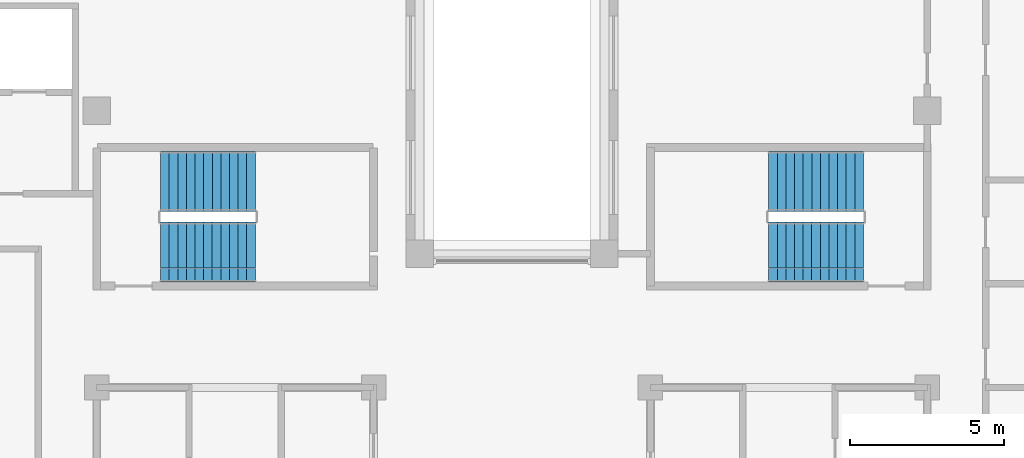
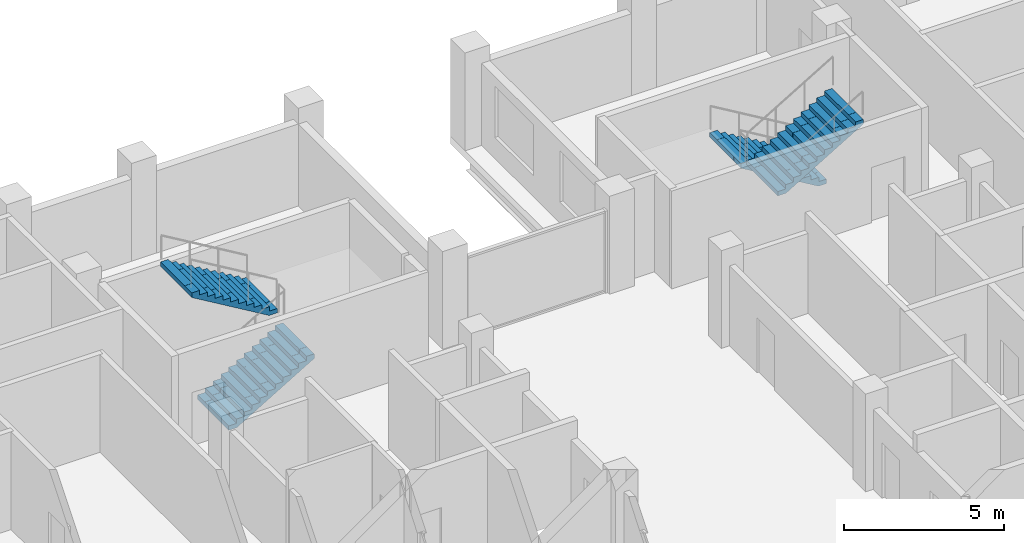
# One storey, part 12 of 13: 4 stair flights, 2 elements without a shape of their own.
"""IFC4 building model written with IfcOpenShell, lengths in metres."""

from ifc_helpers import new_model, si_unit, direction, frame, origin, place, context, subcontext, project, spatial, polyline, outline, extrude, material, type_object, element, aggregate, save


model = new_model("IFC4")

# Units and contexts
model_context = context("Model", 3, precision=1e-05, world=origin(), true_north=direction((0.0, 1.0)))
body_context = subcontext(model_context, "Body", "Model", "MODEL_VIEW")
ifc_project = project(units=[si_unit("LENGTHUNIT", "METRE"), si_unit("AREAUNIT", "SQUARE_METRE"), si_unit("VOLUMEUNIT", "CUBIC_METRE"), si_unit("PLANEANGLEUNIT", "RADIAN"), si_unit("MASSUNIT", "GRAM", prefix="KILO")], contexts=[model_context])

# Site, building, storey
site_placement = place(None, origin())
site = spatial("IfcSite", under=ifc_project, at=site_placement, CompositionType="ELEMENT")
building_placement = place(site_placement, origin())
building = spatial("IfcBuilding", under=site, at=building_placement, Name="Corbelhall Arena Tower", CompositionType="ELEMENT")
storey_placement = place(building_placement, frame((0.0, 0.0, 262.0)))
storey = spatial("IfcBuildingStorey", under=building, at=storey_placement, Name="L56", CompositionType="ELEMENT", Elevation=262.0)

# Stair, stair flights
ifc_material = material(Name="Concrete C40/50", Category="concrete")
stair_type = type_object("IfcStairType", Name="IN-ST-TOWER", PredefinedType="HALF_TURN_STAIR", material=ifc_material)
stair_1_placement = place(storey_placement, origin())
stair_1 = element("IfcStair", 1, at=stair_1_placement, inside=storey, type_object=stair_type, Name="L56 Exit stair ST1", PredefinedType="HALF_TURN_STAIR")
stair_flight_type = type_object("IfcStairFlightType", Name="IN-SFL-RC", PredefinedType="STRAIGHT", material=ifc_material)
stair_flight_1_placement = place(storey_placement, frame((-11.425048828125, 13.39990234375, 0.0), z_axis=(0.0, 0.0, 1.0), x_axis=(1.0, 0.0, 0.0)))
stair_flight_1 = element("IfcStairFlight", 2, at=stair_flight_1_placement, type_object=stair_flight_type, Name="ST1 flight 1", NumberOfRisers=12, NumberOfTreads=11, PredefinedType="STRAIGHT", RiserHeight=0.166666667, TreadLength=0.28, context=body_context, shape_type="SweptSolid", body=[
    extrude(outline(polyline([(0.0, 0.0), (0.0, 0.166748046875), (0.280029296875, 0.166748046875), (0.280029296875, 0.333251953125), (0.56005859375, 0.333251953125), (0.56005859375, 0.5), (0.840087890625, 0.5), (0.840087890625, 0.666748046875), (1.1201171875, 0.666748046875), (1.1201171875, 0.833251953125), (1.39990234375, 0.833251953125), (1.39990234375, 1.0), (1.679931640625, 1.0), (1.679931640625, 1.166748046875), (1.9599609375, 1.166748046875), (1.9599609375, 1.333251953125), (2.239990234375, 1.333251953125), (2.239990234375, 1.5), (2.52001953125, 1.5), (2.52001953125, 1.666748046875), (2.800048828125, 1.666748046875), (2.800048828125, 1.833251953125), (3.080078125, 1.833251953125), (3.080078125, 2.0), (3.080078125, 1.658935546875), (0.29296875, 0.0), (0.0, 0.0)])), frame((0.0, 0.97509765625, 0.0), z_axis=(0.0, -1.0, 0.0), x_axis=(1.0, 0.0, 0.0)), (0.0, 0.0, 1.0), 0.449951171875),
    extrude(outline(polyline([(0.0, 0.0), (0.0, 0.166748046875), (0.280029296875, 0.166748046875), (0.280029296875, 0.333251953125), (0.56005859375, 0.333251953125), (0.56005859375, 0.5), (0.840087890625, 0.5), (0.840087890625, 0.666748046875), (1.1201171875, 0.666748046875), (1.1201171875, 0.833251953125), (1.39990234375, 0.833251953125), (1.39990234375, 1.0), (1.679931640625, 1.0), (1.679931640625, 1.166748046875), (1.9599609375, 1.166748046875), (1.9599609375, 1.333251953125), (2.239990234375, 1.333251953125), (2.239990234375, 1.5), (2.52001953125, 1.5), (2.52001953125, 1.666748046875), (2.800048828125, 1.666748046875), (2.800048828125, 1.833251953125), (3.080078125, 1.833251953125), (3.080078125, 2.0), (3.080078125, 1.658935546875), (0.29296875, 0.0), (0.0, 0.0)])), frame((0.0, 0.52099609375, 0.0), z_axis=(0.0, -1.0, 0.0), x_axis=(1.0, 0.0, 0.0)), (0.0, 0.0, 1.0), 1.0419921875),
    extrude(outline(polyline([(0.0, 0.0), (0.0, 0.166748046875), (0.280029296875, 0.166748046875), (0.280029296875, 0.333251953125), (0.56005859375, 0.333251953125), (0.56005859375, 0.5), (0.840087890625, 0.5), (0.840087890625, 0.666748046875), (1.1201171875, 0.666748046875), (1.1201171875, 0.833251953125), (1.39990234375, 0.833251953125), (1.39990234375, 1.0), (1.679931640625, 1.0), (1.679931640625, 1.166748046875), (1.9599609375, 1.166748046875), (1.9599609375, 1.333251953125), (2.239990234375, 1.333251953125), (2.239990234375, 1.5), (2.52001953125, 1.5), (2.52001953125, 1.666748046875), (2.800048828125, 1.666748046875), (2.800048828125, 1.833251953125), (3.080078125, 1.833251953125), (3.080078125, 2.0), (3.080078125, 1.658935546875), (0.29296875, 0.0), (0.0, 0.0)])), frame((0.0, -0.52490234375, 0.0), z_axis=(0.0, -1.0, 0.0), x_axis=(1.0, 0.0, 0.0)), (0.0, 0.0, 1.0), 0.449951171875),
])
stair_flight_2_placement = place(storey_placement, frame((-8.344970703125, 15.699951171875, 2.0), z_axis=(0.0, 0.0, 1.0), x_axis=(-1.0, 0.0, 0.0)))
stair_flight_2 = element("IfcStairFlight", 3, at=stair_flight_2_placement, type_object=stair_flight_type, Name="ST1 flight 2", NumberOfRisers=12, NumberOfTreads=11, PredefinedType="STRAIGHT", RiserHeight=0.166666667, TreadLength=0.28, context=body_context, shape_type="SweptSolid", body=[
    extrude(outline(polyline([(0.0, 0.0), (0.0, 0.166748046875), (0.280029296875, 0.166748046875), (0.280029296875, 0.333251953125), (0.56005859375, 0.333251953125), (0.56005859375, 0.5), (0.840087890625, 0.5), (0.840087890625, 0.666748046875), (1.1201171875, 0.666748046875), (1.1201171875, 0.833251953125), (1.39990234375, 0.833251953125), (1.39990234375, 1.0), (1.679931640625, 1.0), (1.679931640625, 1.166748046875), (1.9599609375, 1.166748046875), (1.9599609375, 1.333251953125), (2.239990234375, 1.333251953125), (2.239990234375, 1.5), (2.52001953125, 1.5), (2.52001953125, 1.666748046875), (2.800048828125, 1.666748046875), (2.800048828125, 1.833251953125), (3.080078125, 1.833251953125), (3.080078125, 2.0), (3.080078125, 1.658935546875), (0.29296875, 0.0), (0.0, 0.0)])), frame((0.0, 0.97509765625, 0.0), z_axis=(0.0, -1.0, 0.0), x_axis=(1.0, 0.0, 0.0)), (0.0, 0.0, 1.0), 0.449951171875),
    extrude(outline(polyline([(0.0, 0.0), (0.0, 0.166748046875), (0.280029296875, 0.166748046875), (0.280029296875, 0.333251953125), (0.56005859375, 0.333251953125), (0.56005859375, 0.5), (0.840087890625, 0.5), (0.840087890625, 0.666748046875), (1.1201171875, 0.666748046875), (1.1201171875, 0.833251953125), (1.39990234375, 0.833251953125), (1.39990234375, 1.0), (1.679931640625, 1.0), (1.679931640625, 1.166748046875), (1.9599609375, 1.166748046875), (1.9599609375, 1.333251953125), (2.239990234375, 1.333251953125), (2.239990234375, 1.5), (2.52001953125, 1.5), (2.52001953125, 1.666748046875), (2.800048828125, 1.666748046875), (2.800048828125, 1.833251953125), (3.080078125, 1.833251953125), (3.080078125, 2.0), (3.080078125, 1.658935546875), (0.29296875, 0.0), (0.0, 0.0)])), frame((0.0, 0.52099609375, 0.0), z_axis=(0.0, -1.0, 0.0), x_axis=(1.0, 0.0, 0.0)), (0.0, 0.0, 1.0), 1.0419921875),
    extrude(outline(polyline([(0.0, 0.0), (0.0, 0.166748046875), (0.280029296875, 0.166748046875), (0.280029296875, 0.333251953125), (0.56005859375, 0.333251953125), (0.56005859375, 0.5), (0.840087890625, 0.5), (0.840087890625, 0.666748046875), (1.1201171875, 0.666748046875), (1.1201171875, 0.833251953125), (1.39990234375, 0.833251953125), (1.39990234375, 1.0), (1.679931640625, 1.0), (1.679931640625, 1.166748046875), (1.9599609375, 1.166748046875), (1.9599609375, 1.333251953125), (2.239990234375, 1.333251953125), (2.239990234375, 1.5), (2.52001953125, 1.5), (2.52001953125, 1.666748046875), (2.800048828125, 1.666748046875), (2.800048828125, 1.833251953125), (3.080078125, 1.833251953125), (3.080078125, 2.0), (3.080078125, 1.658935546875), (0.29296875, 0.0), (0.0, 0.0)])), frame((0.0, -0.52490234375, 0.0), z_axis=(0.0, -1.0, 0.0), x_axis=(1.0, 0.0, 0.0)), (0.0, 0.0, 1.0), 0.449951171875),
])
aggregate(stair_1, [stair_flight_1, stair_flight_2])

stair_2_placement = place(storey_placement, origin())
stair_2 = element("IfcStair", 4, at=stair_2_placement, inside=storey, type_object=stair_type, Name="L56 Exit stair ST3", PredefinedType="HALF_TURN_STAIR")
stair_flight_3_placement = place(storey_placement, frame((11.425048828125, 15.699951171875, 0.0), z_axis=(0.0, 0.0, 1.0), x_axis=(-1.0, 0.0, 0.0)))
stair_flight_3 = element("IfcStairFlight", 5, at=stair_flight_3_placement, type_object=stair_flight_type, Name="ST3 flight 1", NumberOfRisers=12, NumberOfTreads=11, PredefinedType="STRAIGHT", RiserHeight=0.166666667, TreadLength=0.28, context=body_context, shape_type="SweptSolid", body=[
    extrude(outline(polyline([(0.0, 0.0), (0.0, 0.166748046875), (0.280029296875, 0.166748046875), (0.280029296875, 0.333251953125), (0.56005859375, 0.333251953125), (0.56005859375, 0.5), (0.840087890625, 0.5), (0.840087890625, 0.666748046875), (1.1201171875, 0.666748046875), (1.1201171875, 0.833251953125), (1.39990234375, 0.833251953125), (1.39990234375, 1.0), (1.679931640625, 1.0), (1.679931640625, 1.166748046875), (1.9599609375, 1.166748046875), (1.9599609375, 1.333251953125), (2.239990234375, 1.333251953125), (2.239990234375, 1.5), (2.52001953125, 1.5), (2.52001953125, 1.666748046875), (2.800048828125, 1.666748046875), (2.800048828125, 1.833251953125), (3.080078125, 1.833251953125), (3.080078125, 2.0), (3.080078125, 1.658935546875), (0.29296875, 0.0), (0.0, 0.0)])), frame((0.0, 0.97509765625, 0.0), z_axis=(0.0, -1.0, 0.0), x_axis=(1.0, 0.0, 0.0)), (0.0, 0.0, 1.0), 0.449951171875),
    extrude(outline(polyline([(0.0, 0.0), (0.0, 0.166748046875), (0.280029296875, 0.166748046875), (0.280029296875, 0.333251953125), (0.56005859375, 0.333251953125), (0.56005859375, 0.5), (0.840087890625, 0.5), (0.840087890625, 0.666748046875), (1.1201171875, 0.666748046875), (1.1201171875, 0.833251953125), (1.39990234375, 0.833251953125), (1.39990234375, 1.0), (1.679931640625, 1.0), (1.679931640625, 1.166748046875), (1.9599609375, 1.166748046875), (1.9599609375, 1.333251953125), (2.239990234375, 1.333251953125), (2.239990234375, 1.5), (2.52001953125, 1.5), (2.52001953125, 1.666748046875), (2.800048828125, 1.666748046875), (2.800048828125, 1.833251953125), (3.080078125, 1.833251953125), (3.080078125, 2.0), (3.080078125, 1.658935546875), (0.29296875, 0.0), (0.0, 0.0)])), frame((0.0, 0.52099609375, 0.0), z_axis=(0.0, -1.0, 0.0), x_axis=(1.0, 0.0, 0.0)), (0.0, 0.0, 1.0), 1.0419921875),
    extrude(outline(polyline([(0.0, 0.0), (0.0, 0.166748046875), (0.280029296875, 0.166748046875), (0.280029296875, 0.333251953125), (0.56005859375, 0.333251953125), (0.56005859375, 0.5), (0.840087890625, 0.5), (0.840087890625, 0.666748046875), (1.1201171875, 0.666748046875), (1.1201171875, 0.833251953125), (1.39990234375, 0.833251953125), (1.39990234375, 1.0), (1.679931640625, 1.0), (1.679931640625, 1.166748046875), (1.9599609375, 1.166748046875), (1.9599609375, 1.333251953125), (2.239990234375, 1.333251953125), (2.239990234375, 1.5), (2.52001953125, 1.5), (2.52001953125, 1.666748046875), (2.800048828125, 1.666748046875), (2.800048828125, 1.833251953125), (3.080078125, 1.833251953125), (3.080078125, 2.0), (3.080078125, 1.658935546875), (0.29296875, 0.0), (0.0, 0.0)])), frame((0.0, -0.52490234375, 0.0), z_axis=(0.0, -1.0, 0.0), x_axis=(1.0, 0.0, 0.0)), (0.0, 0.0, 1.0), 0.449951171875),
])
stair_flight_4_placement = place(storey_placement, frame((8.344970703125, 13.39990234375, 2.0), z_axis=(0.0, 0.0, 1.0), x_axis=(1.0, 0.0, 0.0)))
stair_flight_4 = element("IfcStairFlight", 6, at=stair_flight_4_placement, type_object=stair_flight_type, Name="ST3 flight 2", NumberOfRisers=12, NumberOfTreads=11, PredefinedType="STRAIGHT", RiserHeight=0.166666667, TreadLength=0.28, context=body_context, shape_type="SweptSolid", body=[
    extrude(outline(polyline([(0.0, 0.0), (0.0, 0.166748046875), (0.280029296875, 0.166748046875), (0.280029296875, 0.333251953125), (0.56005859375, 0.333251953125), (0.56005859375, 0.5), (0.840087890625, 0.5), (0.840087890625, 0.666748046875), (1.1201171875, 0.666748046875), (1.1201171875, 0.833251953125), (1.39990234375, 0.833251953125), (1.39990234375, 1.0), (1.679931640625, 1.0), (1.679931640625, 1.166748046875), (1.9599609375, 1.166748046875), (1.9599609375, 1.333251953125), (2.239990234375, 1.333251953125), (2.239990234375, 1.5), (2.52001953125, 1.5), (2.52001953125, 1.666748046875), (2.800048828125, 1.666748046875), (2.800048828125, 1.833251953125), (3.080078125, 1.833251953125), (3.080078125, 2.0), (3.080078125, 1.658935546875), (0.29296875, 0.0), (0.0, 0.0)])), frame((0.0, 0.97509765625, 0.0), z_axis=(0.0, -1.0, 0.0), x_axis=(1.0, 0.0, 0.0)), (0.0, 0.0, 1.0), 0.449951171875),
    extrude(outline(polyline([(0.0, 0.0), (0.0, 0.166748046875), (0.280029296875, 0.166748046875), (0.280029296875, 0.333251953125), (0.56005859375, 0.333251953125), (0.56005859375, 0.5), (0.840087890625, 0.5), (0.840087890625, 0.666748046875), (1.1201171875, 0.666748046875), (1.1201171875, 0.833251953125), (1.39990234375, 0.833251953125), (1.39990234375, 1.0), (1.679931640625, 1.0), (1.679931640625, 1.166748046875), (1.9599609375, 1.166748046875), (1.9599609375, 1.333251953125), (2.239990234375, 1.333251953125), (2.239990234375, 1.5), (2.52001953125, 1.5), (2.52001953125, 1.666748046875), (2.800048828125, 1.666748046875), (2.800048828125, 1.833251953125), (3.080078125, 1.833251953125), (3.080078125, 2.0), (3.080078125, 1.658935546875), (0.29296875, 0.0), (0.0, 0.0)])), frame((0.0, 0.52099609375, 0.0), z_axis=(0.0, -1.0, 0.0), x_axis=(1.0, 0.0, 0.0)), (0.0, 0.0, 1.0), 1.0419921875),
    extrude(outline(polyline([(0.0, 0.0), (0.0, 0.166748046875), (0.280029296875, 0.166748046875), (0.280029296875, 0.333251953125), (0.56005859375, 0.333251953125), (0.56005859375, 0.5), (0.840087890625, 0.5), (0.840087890625, 0.666748046875), (1.1201171875, 0.666748046875), (1.1201171875, 0.833251953125), (1.39990234375, 0.833251953125), (1.39990234375, 1.0), (1.679931640625, 1.0), (1.679931640625, 1.166748046875), (1.9599609375, 1.166748046875), (1.9599609375, 1.333251953125), (2.239990234375, 1.333251953125), (2.239990234375, 1.5), (2.52001953125, 1.5), (2.52001953125, 1.666748046875), (2.800048828125, 1.666748046875), (2.800048828125, 1.833251953125), (3.080078125, 1.833251953125), (3.080078125, 2.0), (3.080078125, 1.658935546875), (0.29296875, 0.0), (0.0, 0.0)])), frame((0.0, -0.52490234375, 0.0), z_axis=(0.0, -1.0, 0.0), x_axis=(1.0, 0.0, 0.0)), (0.0, 0.0, 1.0), 0.449951171875),
])
aggregate(stair_2, [stair_flight_3, stair_flight_4])

save(model, "model.ifc")
